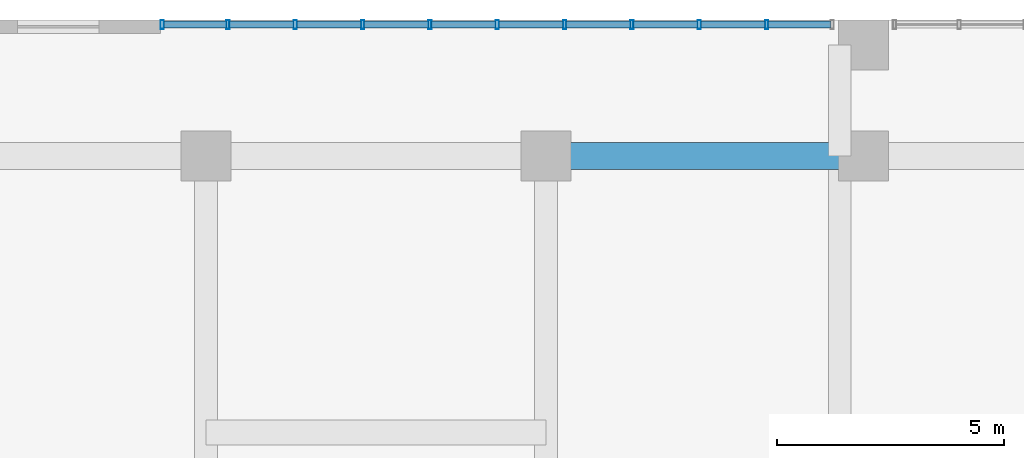
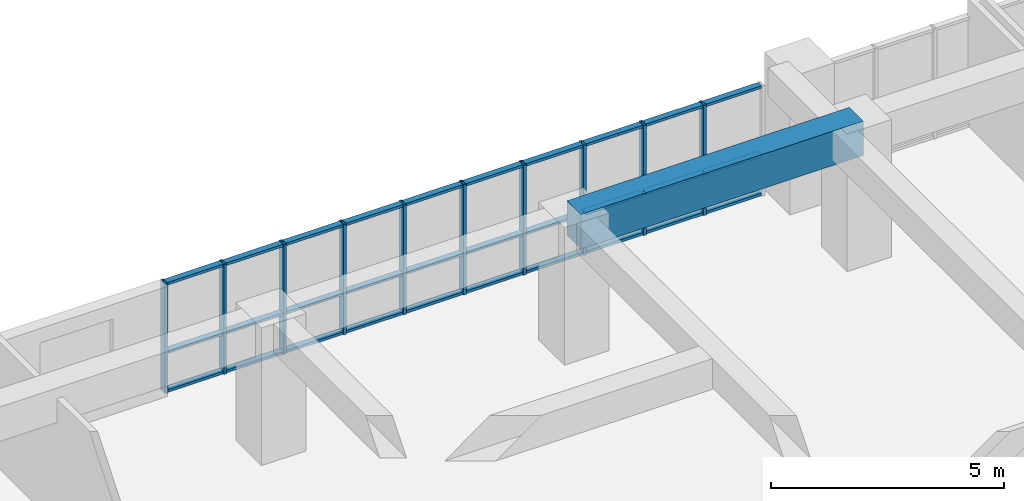
# One storey, part 8 of 27: 40 members, 1 beam, 1 element without a shape of its own.
"""IFC4 building model written with IfcOpenShell, lengths in metres."""

from ifc_helpers import new_model, si_unit, direction, frame, origin, origin_2d, place, context, subcontext, project, spatial, rectangle, hollow_rectangle, extrude, source, transform, mapped, material, layer, layer_set, material_profile, profile_set, type_object, element, aggregate, save


model = new_model("IFC4")

# Units and contexts
model_context = context("Model", 3, precision=1e-05, world=origin(), true_north=direction((0.0, 1.0)))
body_context = subcontext(model_context, "Body", "Model", "MODEL_VIEW")
ifc_project = project(units=[si_unit("LENGTHUNIT", "METRE"), si_unit("AREAUNIT", "SQUARE_METRE"), si_unit("VOLUMEUNIT", "CUBIC_METRE"), si_unit("PLANEANGLEUNIT", "RADIAN"), si_unit("MASSUNIT", "GRAM", prefix="KILO")], contexts=[model_context])

# Site, building, storey
site_placement = place(None, origin())
site = spatial("IfcSite", under=ifc_project, at=site_placement, CompositionType="ELEMENT")
building_placement = place(site_placement, origin())
building = spatial("IfcBuilding", under=site, at=building_placement, Name="Saelheon Loggia Tower", CompositionType="ELEMENT")
storey_placement = place(building_placement, frame((0.0, 0.0, 4.199951171875)))
storey = spatial("IfcBuildingStorey", under=building, at=storey_placement, Name="L01", CompositionType="ELEMENT", Elevation=4.199951171875)

# Beam
ifc_material_1 = material(Name="Concrete C50/60", Category="concrete")
ifc_material_profile_1 = material_profile(ifc_material_1, rectangle(XDim=0.60009765625, YDim=0.89990234375, at=origin_2d()), Name="RC-600x900")
ifc_profile_set_1 = profile_set([ifc_material_profile_1], Name="Concrete C50/60")
beam_type = type_object("IfcBeamType", Name="Beam_MainGirder_RC600x900", PredefinedType="BEAM", material=ifc_profile_set_1)
shared_shape_1 = source(origin(), body_context, "Body", "SweptSolid", [
    extrude(rectangle(XDim=0.60009765625, YDim=0.89990234375, at=origin_2d()), origin(), (0.0, 0.0, 1.0), 7.0),
])
beam_placement = place(storey_placement, frame((24.5, 51.0, 3.150146484375), z_axis=(1.0, 0.0, 0.0), x_axis=(0.0, 1.0, 0.0)))
element("IfcBeam", 1, at=beam_placement, inside=storey, type_object=beam_type, Name="BM-L01-EW-51-4", PredefinedType="BEAM", context=body_context, shape_type="MappedRepresentation", body=[
    mapped(shared_shape_1, transform((0.0, 0.0, 0.0), scale=1.0)),
])

# Curtain wall, members
ifc_material_2 = material(Name="Aluminium 6063-T6 and Low-E IGU", Category="aluminium")
ifc_layer = layer(ifc_material_2, 0.179931640625)
ifc_layer_set = layer_set([ifc_layer], Name="Aluminium 6063-T6 and Low-E IGU")
curtain_wall_type = type_object("IfcCurtainWallType", Name="CW_PodiumClinic", PredefinedType="NOTDEFINED", material=ifc_layer_set)
curtain_wall_placement = place(storey_placement, origin())
curtain_wall = element("IfcCurtainWall", 2, at=curtain_wall_placement, inside=storey, type_object=curtain_wall_type, Name="L01 North Clinic Curtain Wall 1", PredefinedType="NOTDEFINED")
ifc_material_3 = material(Name="Anodised Aluminium 6063-T6", Category="aluminium")
ifc_material_profile_2 = material_profile(ifc_material_3, hollow_rectangle(XDim=0.070068359375, YDim=0.199951171875, WallThickness=0.0048828125, at=origin_2d()), Name="RHS-200x70x5")
ifc_profile_set_2 = profile_set([ifc_material_profile_2], Name="Anodised Aluminium 6063-T6")
member_type_1 = type_object("IfcMemberType", Name="CW_PodiumClinic_Mullion", PredefinedType="MULLION", material=ifc_profile_set_2)
shared_shape_2 = source(origin(), body_context, "Body", "SweptSolid", [
    extrude(hollow_rectangle(XDim=0.070068359375, YDim=0.199951171875, WallThickness=0.0048828125, at=origin_2d()), origin(), (0.0, 0.0, 1.0), 2.880126953125),
])
member_1_placement = place(storey_placement, frame((16.034912109375, 53.89990234375, 0.0), z_axis=(0.0, 0.0, 1.0), x_axis=(1.0, 0.0, 0.0)))
member_1 = element("IfcMember", 3, at=member_1_placement, type_object=member_type_1, Name="CW1 mullion 1", PredefinedType="MULLION", context=body_context, shape_type="MappedRepresentation", body=[
    mapped(shared_shape_2, transform((0.0, 0.0, 0.0), scale=1.0)),
])
member_2_placement = place(storey_placement, frame((17.485107421875, 53.89990234375, 0.0), z_axis=(0.0, 0.0, 1.0), x_axis=(1.0, 0.0, 0.0)))
member_2 = element("IfcMember", 4, at=member_2_placement, type_object=member_type_1, Name="CW1 mullion 2", PredefinedType="MULLION", context=body_context, shape_type="MappedRepresentation", body=[
    mapped(shared_shape_2, transform((0.0, 0.0, 0.0), scale=1.0)),
])
member_3_placement = place(storey_placement, frame((18.969970703125, 53.89990234375, 0.0), z_axis=(0.0, 0.0, 1.0), x_axis=(1.0, 0.0, 0.0)))
member_3 = element("IfcMember", 5, at=member_3_placement, type_object=member_type_1, Name="CW1 mullion 3", PredefinedType="MULLION", context=body_context, shape_type="MappedRepresentation", body=[
    mapped(shared_shape_2, transform((0.0, 0.0, 0.0), scale=1.0)),
])
member_4_placement = place(storey_placement, frame((20.455078125, 53.89990234375, 0.0), z_axis=(0.0, 0.0, 1.0), x_axis=(1.0, 0.0, 0.0)))
member_4 = element("IfcMember", 6, at=member_4_placement, type_object=member_type_1, Name="CW1 mullion 4", PredefinedType="MULLION", context=body_context, shape_type="MappedRepresentation", body=[
    mapped(shared_shape_2, transform((0.0, 0.0, 0.0), scale=1.0)),
])
member_5_placement = place(storey_placement, frame((21.93994140625, 53.89990234375, 0.0), z_axis=(0.0, 0.0, 1.0), x_axis=(1.0, 0.0, 0.0)))
member_5 = element("IfcMember", 7, at=member_5_placement, type_object=member_type_1, Name="CW1 mullion 5", PredefinedType="MULLION", context=body_context, shape_type="MappedRepresentation", body=[
    mapped(shared_shape_2, transform((0.0, 0.0, 0.0), scale=1.0)),
])
member_6_placement = place(storey_placement, frame((23.425048828125, 53.89990234375, 0.0), z_axis=(0.0, 0.0, 1.0), x_axis=(1.0, 0.0, 0.0)))
member_6 = element("IfcMember", 8, at=member_6_placement, type_object=member_type_1, Name="CW1 mullion 6", PredefinedType="MULLION", context=body_context, shape_type="MappedRepresentation", body=[
    mapped(shared_shape_2, transform((0.0, 0.0, 0.0), scale=1.0)),
])
member_7_placement = place(storey_placement, frame((24.909912109375, 53.89990234375, 0.0), z_axis=(0.0, 0.0, 1.0), x_axis=(1.0, 0.0, 0.0)))
member_7 = element("IfcMember", 9, at=member_7_placement, type_object=member_type_1, Name="CW1 mullion 7", PredefinedType="MULLION", context=body_context, shape_type="MappedRepresentation", body=[
    mapped(shared_shape_2, transform((0.0, 0.0, 0.0), scale=1.0)),
])
member_8_placement = place(storey_placement, frame((26.39501953125, 53.89990234375, 0.0), z_axis=(0.0, 0.0, 1.0), x_axis=(1.0, 0.0, 0.0)))
member_8 = element("IfcMember", 10, at=member_8_placement, type_object=member_type_1, Name="CW1 mullion 8", PredefinedType="MULLION", context=body_context, shape_type="MappedRepresentation", body=[
    mapped(shared_shape_2, transform((0.0, 0.0, 0.0), scale=1.0)),
])
member_9_placement = place(storey_placement, frame((27.8798828125, 53.89990234375, 0.0), z_axis=(0.0, 0.0, 1.0), x_axis=(1.0, 0.0, 0.0)))
member_9 = element("IfcMember", 11, at=member_9_placement, type_object=member_type_1, Name="CW1 mullion 9", PredefinedType="MULLION", context=body_context, shape_type="MappedRepresentation", body=[
    mapped(shared_shape_2, transform((0.0, 0.0, 0.0), scale=1.0)),
])
member_10_placement = place(storey_placement, frame((29.364990234375, 53.89990234375, 0.0), z_axis=(0.0, 0.0, 1.0), x_axis=(1.0, 0.0, 0.0)))
member_10 = element("IfcMember", 12, at=member_10_placement, type_object=member_type_1, Name="CW1 mullion 10", PredefinedType="MULLION", context=body_context, shape_type="MappedRepresentation", body=[
    mapped(shared_shape_2, transform((0.0, 0.0, 0.0), scale=1.0)),
])
ifc_material_profile_3 = material_profile(ifc_material_3, hollow_rectangle(XDim=0.070068359375, YDim=0.14990234375, WallThickness=0.0048828125, at=origin_2d()), Name="RHS-150x70x5")
ifc_profile_set_3 = profile_set([ifc_material_profile_3], Name="Anodised Aluminium 6063-T6")
member_type_2 = type_object("IfcMemberType", Name="CW_PodiumClinic_Transom", PredefinedType="USERDEFINED", material=ifc_profile_set_3)
shared_shape_3 = source(origin(), body_context, "Body", "SweptSolid", [
    extrude(hollow_rectangle(XDim=0.070068359375, YDim=0.14990234375, WallThickness=0.0048828125, at=origin_2d()), origin(), (0.0, 0.0, 1.0), 1.3798828125),
])
member_11_placement = place(storey_placement, frame((16.070068359375, 53.89990234375, 0.03515625), z_axis=(1.0, 0.0, 0.0), x_axis=(0.0, 0.0, 1.0)))
member_11 = element("IfcMember", 13, at=member_11_placement, type_object=member_type_2, Name="CW1 transom 1.1", ObjectType="TRANSOM", PredefinedType="USERDEFINED", context=body_context, shape_type="MappedRepresentation", body=[
    mapped(shared_shape_3, transform((0.0, 0.0, 0.0), scale=1.0)),
])
member_12_placement = place(storey_placement, frame((16.070068359375, 53.89990234375, 1.050048828125), z_axis=(1.0, 0.0, 0.0), x_axis=(0.0, 0.0, 1.0)))
member_12 = element("IfcMember", 14, at=member_12_placement, type_object=member_type_2, Name="CW1 transom 1.2", ObjectType="TRANSOM", PredefinedType="USERDEFINED", context=body_context, shape_type="MappedRepresentation", body=[
    mapped(shared_shape_3, transform((0.0, 0.0, 0.0), scale=1.0)),
])
member_13_placement = place(storey_placement, frame((16.070068359375, 53.89990234375, 2.844970703125), z_axis=(1.0, 0.0, 0.0), x_axis=(0.0, 0.0, 1.0)))
member_13 = element("IfcMember", 15, at=member_13_placement, type_object=member_type_2, Name="CW1 transom 1.3", ObjectType="TRANSOM", PredefinedType="USERDEFINED", context=body_context, shape_type="MappedRepresentation", body=[
    mapped(shared_shape_3, transform((0.0, 0.0, 0.0), scale=1.0)),
])
shared_shape_4 = source(origin(), body_context, "Body", "SweptSolid", [
    extrude(hollow_rectangle(XDim=0.070068359375, YDim=0.14990234375, WallThickness=0.0048828125, at=origin_2d()), origin(), (0.0, 0.0, 1.0), 1.4150390625),
])
member_14_placement = place(storey_placement, frame((17.52001953125, 53.89990234375, 0.03515625), z_axis=(1.0, 0.0, 0.0), x_axis=(0.0, 0.0, 1.0)))
member_14 = element("IfcMember", 16, at=member_14_placement, type_object=member_type_2, Name="CW1 transom 2.1", ObjectType="TRANSOM", PredefinedType="USERDEFINED", context=body_context, shape_type="MappedRepresentation", body=[
    mapped(shared_shape_4, transform((0.0, 0.0, 0.0), scale=1.0)),
])
member_15_placement = place(storey_placement, frame((17.52001953125, 53.89990234375, 1.050048828125), z_axis=(1.0, 0.0, 0.0), x_axis=(0.0, 0.0, 1.0)))
member_15 = element("IfcMember", 17, at=member_15_placement, type_object=member_type_2, Name="CW1 transom 2.2", ObjectType="TRANSOM", PredefinedType="USERDEFINED", context=body_context, shape_type="MappedRepresentation", body=[
    mapped(shared_shape_4, transform((0.0, 0.0, 0.0), scale=1.0)),
])
member_16_placement = place(storey_placement, frame((17.52001953125, 53.89990234375, 2.844970703125), z_axis=(1.0, 0.0, 0.0), x_axis=(0.0, 0.0, 1.0)))
member_16 = element("IfcMember", 18, at=member_16_placement, type_object=member_type_2, Name="CW1 transom 2.3", ObjectType="TRANSOM", PredefinedType="USERDEFINED", context=body_context, shape_type="MappedRepresentation", body=[
    mapped(shared_shape_4, transform((0.0, 0.0, 0.0), scale=1.0)),
])
member_17_placement = place(storey_placement, frame((19.0048828125, 53.89990234375, 0.03515625), z_axis=(1.0, 0.0, 0.0), x_axis=(0.0, 0.0, 1.0)))
member_17 = element("IfcMember", 19, at=member_17_placement, type_object=member_type_2, Name="CW1 transom 3.1", ObjectType="TRANSOM", PredefinedType="USERDEFINED", context=body_context, shape_type="MappedRepresentation", body=[
    mapped(shared_shape_4, transform((0.0, 0.0, 0.0), scale=1.0)),
])
member_18_placement = place(storey_placement, frame((19.0048828125, 53.89990234375, 1.050048828125), z_axis=(1.0, 0.0, 0.0), x_axis=(0.0, 0.0, 1.0)))
member_18 = element("IfcMember", 20, at=member_18_placement, type_object=member_type_2, Name="CW1 transom 3.2", ObjectType="TRANSOM", PredefinedType="USERDEFINED", context=body_context, shape_type="MappedRepresentation", body=[
    mapped(shared_shape_4, transform((0.0, 0.0, 0.0), scale=1.0)),
])
member_19_placement = place(storey_placement, frame((19.0048828125, 53.89990234375, 2.844970703125), z_axis=(1.0, 0.0, 0.0), x_axis=(0.0, 0.0, 1.0)))
member_19 = element("IfcMember", 21, at=member_19_placement, type_object=member_type_2, Name="CW1 transom 3.3", ObjectType="TRANSOM", PredefinedType="USERDEFINED", context=body_context, shape_type="MappedRepresentation", body=[
    mapped(shared_shape_4, transform((0.0, 0.0, 0.0), scale=1.0)),
])
member_20_placement = place(storey_placement, frame((20.489990234375, 53.89990234375, 0.03515625), z_axis=(1.0, 0.0, 0.0), x_axis=(0.0, 0.0, 1.0)))
member_20 = element("IfcMember", 22, at=member_20_placement, type_object=member_type_2, Name="CW1 transom 4.1", ObjectType="TRANSOM", PredefinedType="USERDEFINED", context=body_context, shape_type="MappedRepresentation", body=[
    mapped(shared_shape_4, transform((0.0, 0.0, 0.0), scale=1.0)),
])
member_21_placement = place(storey_placement, frame((20.489990234375, 53.89990234375, 1.050048828125), z_axis=(1.0, 0.0, 0.0), x_axis=(0.0, 0.0, 1.0)))
member_21 = element("IfcMember", 23, at=member_21_placement, type_object=member_type_2, Name="CW1 transom 4.2", ObjectType="TRANSOM", PredefinedType="USERDEFINED", context=body_context, shape_type="MappedRepresentation", body=[
    mapped(shared_shape_4, transform((0.0, 0.0, 0.0), scale=1.0)),
])
member_22_placement = place(storey_placement, frame((20.489990234375, 53.89990234375, 2.844970703125), z_axis=(1.0, 0.0, 0.0), x_axis=(0.0, 0.0, 1.0)))
member_22 = element("IfcMember", 24, at=member_22_placement, type_object=member_type_2, Name="CW1 transom 4.3", ObjectType="TRANSOM", PredefinedType="USERDEFINED", context=body_context, shape_type="MappedRepresentation", body=[
    mapped(shared_shape_4, transform((0.0, 0.0, 0.0), scale=1.0)),
])
member_23_placement = place(storey_placement, frame((23.4599609375, 53.89990234375, 0.03515625), z_axis=(1.0, 0.0, 0.0), x_axis=(0.0, 0.0, 1.0)))
member_23 = element("IfcMember", 25, at=member_23_placement, type_object=member_type_2, Name="CW1 transom 6.1", ObjectType="TRANSOM", PredefinedType="USERDEFINED", context=body_context, shape_type="MappedRepresentation", body=[
    mapped(shared_shape_4, transform((0.0, 0.0, 0.0), scale=1.0)),
])
member_24_placement = place(storey_placement, frame((23.4599609375, 53.89990234375, 1.050048828125), z_axis=(1.0, 0.0, 0.0), x_axis=(0.0, 0.0, 1.0)))
member_24 = element("IfcMember", 26, at=member_24_placement, type_object=member_type_2, Name="CW1 transom 6.2", ObjectType="TRANSOM", PredefinedType="USERDEFINED", context=body_context, shape_type="MappedRepresentation", body=[
    mapped(shared_shape_4, transform((0.0, 0.0, 0.0), scale=1.0)),
])
member_25_placement = place(storey_placement, frame((23.4599609375, 53.89990234375, 2.844970703125), z_axis=(1.0, 0.0, 0.0), x_axis=(0.0, 0.0, 1.0)))
member_25 = element("IfcMember", 27, at=member_25_placement, type_object=member_type_2, Name="CW1 transom 6.3", ObjectType="TRANSOM", PredefinedType="USERDEFINED", context=body_context, shape_type="MappedRepresentation", body=[
    mapped(shared_shape_4, transform((0.0, 0.0, 0.0), scale=1.0)),
])
member_26_placement = place(storey_placement, frame((24.945068359375, 53.89990234375, 0.03515625), z_axis=(1.0, 0.0, 0.0), x_axis=(0.0, 0.0, 1.0)))
member_26 = element("IfcMember", 28, at=member_26_placement, type_object=member_type_2, Name="CW1 transom 7.1", ObjectType="TRANSOM", PredefinedType="USERDEFINED", context=body_context, shape_type="MappedRepresentation", body=[
    mapped(shared_shape_4, transform((0.0, 0.0, 0.0), scale=1.0)),
])
member_27_placement = place(storey_placement, frame((24.945068359375, 53.89990234375, 1.050048828125), z_axis=(1.0, 0.0, 0.0), x_axis=(0.0, 0.0, 1.0)))
member_27 = element("IfcMember", 29, at=member_27_placement, type_object=member_type_2, Name="CW1 transom 7.2", ObjectType="TRANSOM", PredefinedType="USERDEFINED", context=body_context, shape_type="MappedRepresentation", body=[
    mapped(shared_shape_4, transform((0.0, 0.0, 0.0), scale=1.0)),
])
member_28_placement = place(storey_placement, frame((24.945068359375, 53.89990234375, 2.844970703125), z_axis=(1.0, 0.0, 0.0), x_axis=(0.0, 0.0, 1.0)))
member_28 = element("IfcMember", 30, at=member_28_placement, type_object=member_type_2, Name="CW1 transom 7.3", ObjectType="TRANSOM", PredefinedType="USERDEFINED", context=body_context, shape_type="MappedRepresentation", body=[
    mapped(shared_shape_4, transform((0.0, 0.0, 0.0), scale=1.0)),
])
member_29_placement = place(storey_placement, frame((26.429931640625, 53.89990234375, 0.03515625), z_axis=(1.0, 0.0, 0.0), x_axis=(0.0, 0.0, 1.0)))
member_29 = element("IfcMember", 31, at=member_29_placement, type_object=member_type_2, Name="CW1 transom 8.1", ObjectType="TRANSOM", PredefinedType="USERDEFINED", context=body_context, shape_type="MappedRepresentation", body=[
    mapped(shared_shape_4, transform((0.0, 0.0, 0.0), scale=1.0)),
])
member_30_placement = place(storey_placement, frame((26.429931640625, 53.89990234375, 1.050048828125), z_axis=(1.0, 0.0, 0.0), x_axis=(0.0, 0.0, 1.0)))
member_30 = element("IfcMember", 32, at=member_30_placement, type_object=member_type_2, Name="CW1 transom 8.2", ObjectType="TRANSOM", PredefinedType="USERDEFINED", context=body_context, shape_type="MappedRepresentation", body=[
    mapped(shared_shape_4, transform((0.0, 0.0, 0.0), scale=1.0)),
])
member_31_placement = place(storey_placement, frame((26.429931640625, 53.89990234375, 2.844970703125), z_axis=(1.0, 0.0, 0.0), x_axis=(0.0, 0.0, 1.0)))
member_31 = element("IfcMember", 33, at=member_31_placement, type_object=member_type_2, Name="CW1 transom 8.3", ObjectType="TRANSOM", PredefinedType="USERDEFINED", context=body_context, shape_type="MappedRepresentation", body=[
    mapped(shared_shape_4, transform((0.0, 0.0, 0.0), scale=1.0)),
])
member_32_placement = place(storey_placement, frame((27.9150390625, 53.89990234375, 0.03515625), z_axis=(1.0, 0.0, 0.0), x_axis=(0.0, 0.0, 1.0)))
member_32 = element("IfcMember", 34, at=member_32_placement, type_object=member_type_2, Name="CW1 transom 9.1", ObjectType="TRANSOM", PredefinedType="USERDEFINED", context=body_context, shape_type="MappedRepresentation", body=[
    mapped(shared_shape_4, transform((0.0, 0.0, 0.0), scale=1.0)),
])
member_33_placement = place(storey_placement, frame((27.9150390625, 53.89990234375, 1.050048828125), z_axis=(1.0, 0.0, 0.0), x_axis=(0.0, 0.0, 1.0)))
member_33 = element("IfcMember", 35, at=member_33_placement, type_object=member_type_2, Name="CW1 transom 9.2", ObjectType="TRANSOM", PredefinedType="USERDEFINED", context=body_context, shape_type="MappedRepresentation", body=[
    mapped(shared_shape_4, transform((0.0, 0.0, 0.0), scale=1.0)),
])
member_34_placement = place(storey_placement, frame((27.9150390625, 53.89990234375, 2.844970703125), z_axis=(1.0, 0.0, 0.0), x_axis=(0.0, 0.0, 1.0)))
member_34 = element("IfcMember", 36, at=member_34_placement, type_object=member_type_2, Name="CW1 transom 9.3", ObjectType="TRANSOM", PredefinedType="USERDEFINED", context=body_context, shape_type="MappedRepresentation", body=[
    mapped(shared_shape_4, transform((0.0, 0.0, 0.0), scale=1.0)),
])
shared_shape_5 = source(origin(), body_context, "Body", "SweptSolid", [
    extrude(hollow_rectangle(XDim=0.070068359375, YDim=0.14990234375, WallThickness=0.0048828125, at=origin_2d()), origin(), (0.0, 0.0, 1.0), 1.414794921875),
])
member_35_placement = place(storey_placement, frame((21.97509765625, 53.89990234375, 0.03515625), z_axis=(1.0, 0.0, 0.0), x_axis=(0.0, 0.0, 1.0)))
member_35 = element("IfcMember", 37, at=member_35_placement, type_object=member_type_2, Name="CW1 transom 5.1", ObjectType="TRANSOM", PredefinedType="USERDEFINED", context=body_context, shape_type="MappedRepresentation", body=[
    mapped(shared_shape_5, transform((0.0, 0.0, 0.0), scale=1.0)),
])
member_36_placement = place(storey_placement, frame((21.97509765625, 53.89990234375, 1.050048828125), z_axis=(1.0, 0.0, 0.0), x_axis=(0.0, 0.0, 1.0)))
member_36 = element("IfcMember", 38, at=member_36_placement, type_object=member_type_2, Name="CW1 transom 5.2", ObjectType="TRANSOM", PredefinedType="USERDEFINED", context=body_context, shape_type="MappedRepresentation", body=[
    mapped(shared_shape_5, transform((0.0, 0.0, 0.0), scale=1.0)),
])
member_37_placement = place(storey_placement, frame((21.97509765625, 53.89990234375, 2.844970703125), z_axis=(1.0, 0.0, 0.0), x_axis=(0.0, 0.0, 1.0)))
member_37 = element("IfcMember", 39, at=member_37_placement, type_object=member_type_2, Name="CW1 transom 5.3", ObjectType="TRANSOM", PredefinedType="USERDEFINED", context=body_context, shape_type="MappedRepresentation", body=[
    mapped(shared_shape_5, transform((0.0, 0.0, 0.0), scale=1.0)),
])
shared_shape_6 = source(origin(), body_context, "Body", "SweptSolid", [
    extrude(hollow_rectangle(XDim=0.070068359375, YDim=0.14990234375, WallThickness=0.0048828125, at=origin_2d()), origin(), (0.0, 0.0, 1.0), 1.380126953125),
])
member_38_placement = place(storey_placement, frame((29.39990234375, 53.89990234375, 0.03515625), z_axis=(1.0, 0.0, 0.0), x_axis=(0.0, 0.0, 1.0)))
member_38 = element("IfcMember", 40, at=member_38_placement, type_object=member_type_2, Name="CW1 transom 10.1", ObjectType="TRANSOM", PredefinedType="USERDEFINED", context=body_context, shape_type="MappedRepresentation", body=[
    mapped(shared_shape_6, transform((0.0, 0.0, 0.0), scale=1.0)),
])
member_39_placement = place(storey_placement, frame((29.39990234375, 53.89990234375, 1.050048828125), z_axis=(1.0, 0.0, 0.0), x_axis=(0.0, 0.0, 1.0)))
member_39 = element("IfcMember", 41, at=member_39_placement, type_object=member_type_2, Name="CW1 transom 10.2", ObjectType="TRANSOM", PredefinedType="USERDEFINED", context=body_context, shape_type="MappedRepresentation", body=[
    mapped(shared_shape_6, transform((0.0, 0.0, 0.0), scale=1.0)),
])
member_40_placement = place(storey_placement, frame((29.39990234375, 53.89990234375, 2.844970703125), z_axis=(1.0, 0.0, 0.0), x_axis=(0.0, 0.0, 1.0)))
member_40 = element("IfcMember", 42, at=member_40_placement, type_object=member_type_2, Name="CW1 transom 10.3", ObjectType="TRANSOM", PredefinedType="USERDEFINED", context=body_context, shape_type="MappedRepresentation", body=[
    mapped(shared_shape_6, transform((0.0, 0.0, 0.0), scale=1.0)),
])
aggregate(curtain_wall, [member_1, member_2, member_3, member_4, member_5, member_6, member_7, member_8, member_9, member_10, member_11, member_12, member_13, member_14, member_15, member_16, member_17, member_18, member_19, member_20, member_21, member_22, member_35, member_36, member_37, member_23, member_24, member_25, member_26, member_27, member_28, member_29, member_30, member_31, member_32, member_33, member_34, member_38, member_39, member_40])

save(model, "model.ifc")
